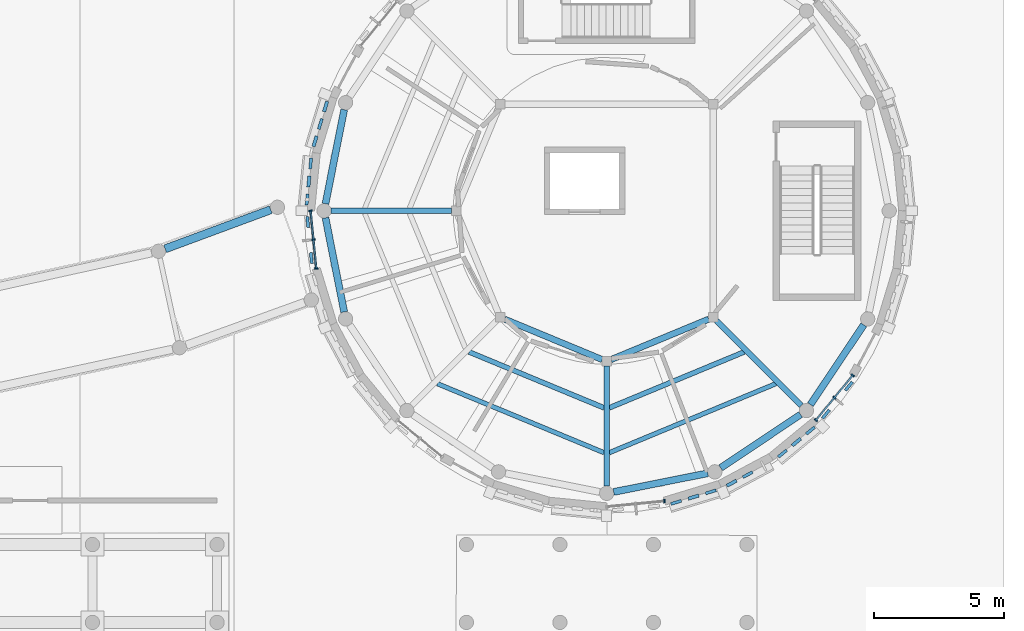
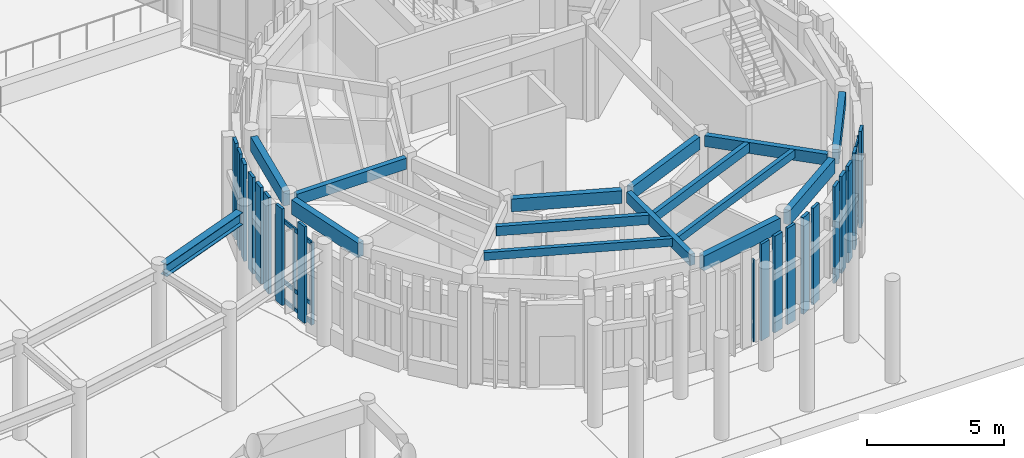
# One storey, part 25 of 94: 31 members, 15 beams, 3 elements without a shape of their own.
"""IFC4 building model written with IfcOpenShell, lengths in metres."""

from ifc_helpers import new_model, si_unit, direction, frame, origin, origin_2d, place, context, subcontext, project, spatial, rectangle, i_section, extrude, material, layer, layer_set, material_profile, profile_set, type_object, element, aggregate, save


model = new_model("IFC4")

# Units and contexts
model_context = context("Model", 3, precision=1e-05, world=origin(), true_north=direction((0.0, 1.0)))
body_context = subcontext(model_context, "Body", "Model", "MODEL_VIEW")
ifc_project = project(units=[si_unit("LENGTHUNIT", "METRE"), si_unit("AREAUNIT", "SQUARE_METRE"), si_unit("VOLUMEUNIT", "CUBIC_METRE"), si_unit("PLANEANGLEUNIT", "RADIAN"), si_unit("MASSUNIT", "GRAM", prefix="KILO")], contexts=[model_context])

# Site, building, storey
site_placement = place(None, origin())
site = spatial("IfcSite", under=ifc_project, at=site_placement, CompositionType="ELEMENT")
building_placement = place(site_placement, origin())
building = spatial("IfcBuilding", under=site, at=building_placement, Name="Aldenvaro Health Centre", CompositionType="ELEMENT")
storey_placement = place(building_placement, origin())
storey = spatial("IfcBuildingStorey", under=building, at=storey_placement, Name="L00", CompositionType="ELEMENT", Elevation=0.0)

# Beams
ifc_material_1 = material(Name="Glulam GL28h", Category="wood")
ifc_material_profile_1 = material_profile(ifc_material_1, rectangle(XDim=0.175048828125, YDim=0.35009765625, at=origin_2d()), Name="GL 175x350", Category="wood")
ifc_profile_set_1 = profile_set([ifc_material_profile_1], Name="Glulam GL28h")
beam_type_1 = type_object("IfcBeamType", Name="BM-GL-350", PredefinedType="JOIST", material=ifc_profile_set_1)
for number, where, z_axis, x_axis, name in (
    (1, (147.98388671875, 11.843017578125, 4.1298828125), (0.923881884669, -0.382677753705, 0.0), (0.382677753705, 0.923881884669, 0.0), "D6 L00 secondary joist 04.2"),
    (2, (154.59912109375, 9.18505859375, 4.1298828125), (0.923881884669, 0.382677753705, 0.0), (-0.382677753705, 0.923881884669, 0.0), "D6 L00 secondary joist 05.2"),
):
    element("IfcBeam", number, at=place(storey_placement, frame(where, z_axis=z_axis, x_axis=x_axis)), inside=storey, type_object=beam_type_1, Name=name, PredefinedType="JOIST", context=body_context, shape_type="SweptSolid", body=[
        extrude(rectangle(XDim=0.175048828125, YDim=0.35009765625, at=origin_2d()), origin(), (0.0, 0.0, 1.0), 6.94580078125),
    ])
ifc_material_profile_2 = material_profile(ifc_material_1, rectangle(XDim=0.18994140625, YDim=0.41796875, at=origin_2d()), Name="GL 190x418", Category="wood")
ifc_profile_set_2 = profile_set([ifc_material_profile_2], Name="Glulam GL28h")
beam_type_2 = type_object("IfcBeamType", Name="BM-GL-418", PredefinedType="JOIST", material=ifc_profile_set_2)
for number, where, z_axis, x_axis, name in (
    (3, (149.205078125, 13.06494140625, 4.095947265625), (0.923837981842, -0.382783729155, 0.0), (0.382783729155, 0.923837981842, 0.0), "D6 L00 secondary joist 04.1"),
    (4, (154.59912109375, 10.912109375, 4.095947265625), (0.923837981842, 0.382783729155, 0.0), (-0.382783729155, 0.923837981842, 0.0), "D6 L00 secondary joist 05.1"),
):
    element("IfcBeam", number, at=place(storey_placement, frame(where, z_axis=z_axis, x_axis=x_axis)), inside=storey, type_object=beam_type_2, Name=name, PredefinedType="JOIST", context=body_context, shape_type="SweptSolid", body=[
        extrude(rectangle(XDim=0.18994140625, YDim=0.41796875, at=origin_2d()), origin(), (0.0, 0.0, 1.0), 5.624267578125),
    ])
ifc_material_profile_3 = material_profile(ifc_material_1, rectangle(XDim=0.215087890625, YDim=0.493896484375, at=origin_2d()), Name="GL 215x494", Category="wood")
ifc_profile_set_3 = profile_set([ifc_material_profile_3], Name="Glulam GL28h")
beam_type_3 = type_object("IfcBeamType", Name="BM-GL-494", PredefinedType="BEAM", material=ifc_profile_set_3)
beam_1_placement = place(storey_placement, frame((148.51708984375, 18.5, 4.05810546875), z_axis=(-1.0, 0.0, 0.0), x_axis=(0.0, -1.0, 0.0)))
element("IfcBeam", 5, at=beam_1_placement, inside=storey, type_object=beam_type_3, Name="D6 L00 radial beam 03", PredefinedType="BEAM", context=body_context, shape_type="SweptSolid", body=[
    extrude(rectangle(XDim=0.215087890625, YDim=0.493896484375, at=origin_2d()), origin(), (0.0, 0.0, 1.0), 4.6220703125),
])
for number, where, z_axis, x_axis, name in (
    (6, (154.5, 12.51806640625, 4.05810546875), (0.0, -1.0, 0.0), (1.0, 0.0, 0.0), "D6 L00 radial beam 05"),
    (7, (158.72998046875, 14.27001953125, 4.05810546875), (0.707106781187, -0.707106781187, 0.0), (0.707106781187, 0.707106781187, 0.0), "D6 L00 radial beam 06"),
):
    element("IfcBeam", number, at=place(storey_placement, frame(where, z_axis=z_axis, x_axis=x_axis)), inside=storey, type_object=beam_type_3, Name=name, PredefinedType="BEAM", context=body_context, shape_type="SweptSolid", body=[
        extrude(rectangle(XDim=0.215087890625, YDim=0.493896484375, at=origin_2d()), origin(), (0.0, 0.0, 1.0), 4.623046875),
    ])
ifc_material_profile_4 = material_profile(ifc_material_1, rectangle(XDim=0.239990234375, YDim=0.570068359375, at=origin_2d()), Name="GL 240x570", Category="wood")
ifc_profile_set_4 = profile_set([ifc_material_profile_4], Name="Glulam GL28h")
beam_type_4 = type_object("IfcBeamType", Name="BM-GL-570", PredefinedType="BEAM", material=ifc_profile_set_4)
for number, where, z_axis, x_axis, name in (
    (8, (150.568115234375, 14.3291015625, 4.02001953125), (0.923842943705, -0.382771753617, 0.0), (0.382771753617, 0.923842943705, 0.0), "D6 L00 inner ring beam 04"),
    (9, (154.6689453125, 12.77001953125, 4.02001953125), (0.923842943705, 0.382771753617, 0.0), (-0.382771753617, 0.923842943705, 0.0), "D6 L00 inner ring beam 05"),
):
    element("IfcBeam", number, at=place(storey_placement, frame(where, z_axis=z_axis, x_axis=x_axis)), inside=storey, type_object=beam_type_4, Name=name, PredefinedType="BEAM", context=body_context, shape_type="SweptSolid", body=[
        extrude(rectangle(XDim=0.239990234375, YDim=0.570068359375, at=origin_2d()), origin(), (0.0, 0.0, 1.0), 4.0732421875),
    ])
ifc_material_profile_5 = material_profile(ifc_material_1, rectangle(XDim=0.264892578125, YDim=0.64599609375, at=origin_2d()), Name="GL 265x646", Category="wood")
ifc_profile_set_5 = profile_set([ifc_material_profile_5], Name="Glulam GL28h")
beam_type_5 = type_object("IfcBeamType", Name="BM-GL-646", PredefinedType="SPANDREL", material=ifc_profile_set_5)
for number, where, z_axis, x_axis, name in (
    (10, (144.39404296875, 22.39404296875, 3.98193359375), (-0.194857989237, -0.980831465661, 0.0), (0.980831465661, -0.194857989237, 0.0), "D6 L00 perimeter spandrel 08"),
    (11, (143.674072265625, 18.22998046875, 3.98193359375), (0.194857989237, -0.980831465661, 0.0), (0.980831465661, 0.194857989237, 0.0), "D6 L00 perimeter spandrel 09"),
    (12, (154.77001953125, 7.674072265625, 3.98193359375), (0.980831465661, 0.194857989237, 0.0), (-0.194857989237, 0.980831465661, 0.0), "D6 L00 perimeter spandrel 13"),
):
    element("IfcBeam", number, at=place(storey_placement, frame(where, z_axis=z_axis, x_axis=x_axis)), inside=storey, type_object=beam_type_5, Name=name, PredefinedType="SPANDREL", context=body_context, shape_type="SweptSolid", body=[
        extrude(rectangle(XDim=0.264892578125, YDim=0.64599609375, at=origin_2d()), origin(), (0.0, 0.0, 1.0), 3.69482421875),
    ])
for number, where, z_axis, x_axis, name in (
    (13, (158.89306640625, 8.60107421875, 3.98193359375), (0.831348056426, 0.555752111176, 0.0), (-0.555752111176, 0.831348056426, 0.0), "D6 L00 perimeter spandrel 14"),
    (14, (162.345947265625, 11.035888671875, 3.98193359375), (0.555752111176, 0.831348056426, 0.0), (-0.831348056426, 0.555752111176, 0.0), "D6 L00 perimeter spandrel 15"),
):
    element("IfcBeam", number, at=place(storey_placement, frame(where, z_axis=z_axis, x_axis=x_axis)), inside=storey, type_object=beam_type_5, Name=name, PredefinedType="SPANDREL", context=body_context, shape_type="SweptSolid", body=[
        extrude(rectangle(XDim=0.264892578125, YDim=0.64599609375, at=origin_2d()), origin(), (0.0, 0.0, 1.0), 3.694091796875),
    ])
ifc_material_2 = material(Name="Steel ASTM A992 Grade 50", Category="steel")
ifc_material_profile_6 = material_profile(ifc_material_2, i_section(OverallWidth=0.31201171875, OverallDepth=0.54296875, WebThickness=0.0126953125, FlangeThickness=0.020263671875, at=origin_2d()), Name="W21X101", Category="steel")
ifc_profile_set_6 = profile_set([ifc_material_profile_6], Name="Steel ASTM A992 Grade 50")
beam_type_6 = type_object("IfcBeamType", Name="BM-ST-W21E", PredefinedType="BEAM", material=ifc_profile_set_6)
beam_2_placement = place(storey_placement, frame((137.5, 17.035888671875, 4.029052734375), z_axis=(0.937779330537, 0.347231806172, 0.0), x_axis=(-0.347231806172, 0.937779330537, 0.0)))
element("IfcBeam", 15, at=beam_2_placement, inside=storey, type_object=beam_type_6, Name="South East Curved Peristyle Walkway Arc 5 L00 girder L-1", PredefinedType="BEAM", context=body_context, shape_type="SweptSolid", body=[
    extrude(i_section(OverallWidth=0.31201171875, OverallDepth=0.54296875, WebThickness=0.0126953125, FlangeThickness=0.020263671875, at=origin_2d()), origin(), (0.0, 0.0, 1.0), 4.334716796875),
])

# Curtain wall, members
ifc_material_3 = material(Name="Anodised Aluminium 6063-T6", Category="aluminium")
ifc_layer = layer(ifc_material_3, 0.195068359375, Name="Anodised Aluminium 6063-T6", Category="aluminium")
ifc_layer_set = layer_set([ifc_layer], Name="Anodised Aluminium 6063-T6")
curtain_wall_type = type_object("IfcCurtainWallType", Name="CW-CLN-02", PredefinedType="NOTDEFINED", material=ifc_layer_set)
curtain_wall_1_placement = place(storey_placement, origin())
curtain_wall_1 = element("IfcCurtainWall", 16, at=curtain_wall_1_placement, inside=storey, type_object=curtain_wall_type, Name="D6 L00 curtain wall bay 04", PredefinedType="NOTDEFINED")
ifc_material_profile_7 = material_profile(ifc_material_3, rectangle(XDim=0.06005859375, YDim=0.135009765625, at=origin_2d()), Name="ALU 60x135", Category="aluminium")
ifc_profile_set_7 = profile_set([ifc_material_profile_7], Name="Anodised Aluminium 6063-T6")
member_type_1 = type_object("IfcMemberType", Name="CWM-150", PredefinedType="MULLION", material=ifc_profile_set_7)
member_1_placement = place(storey_placement, frame((163.97900390625, 12.166015625, 0.0), z_axis=(0.0, 0.0, 1.0), x_axis=(-0.634577172169, -0.772859503767, 0.0)))
member_1 = element("IfcMember", 17, at=member_1_placement, type_object=member_type_1, Name="D6 L00 curtain wall bay 04 mullion 1", PredefinedType="MULLION", context=body_context, shape_type="SweptSolid", body=[
    extrude(rectangle(XDim=0.06005859375, YDim=0.135009765625, at=origin_2d()), origin(), (0.0, 0.0, 1.0), 3.658935546875),
])
member_2_placement = place(storey_placement, frame((163.27001953125, 11.302978515625, 0.0), z_axis=(0.0, 0.0, 1.0), x_axis=(-0.634577172169, -0.772859503767, 0.0)))
member_2 = element("IfcMember", 18, at=member_2_placement, type_object=member_type_1, Name="D6 L00 curtain wall bay 04 mullion 2", PredefinedType="MULLION", context=body_context, shape_type="SweptSolid", body=[
    extrude(rectangle(XDim=0.06005859375, YDim=0.135009765625, at=origin_2d()), origin(), (0.0, 0.0, 1.0), 3.658935546875),
])
member_3_placement = place(storey_placement, frame((162.56103515625, 10.43896484375, 0.0), z_axis=(0.0, 0.0, 1.0), x_axis=(-0.634577172169, -0.772859503767, 0.0)))
member_3 = element("IfcMember", 19, at=member_3_placement, type_object=member_type_1, Name="D6 L00 curtain wall bay 04 mullion 3", PredefinedType="MULLION", context=body_context, shape_type="SweptSolid", body=[
    extrude(rectangle(XDim=0.06005859375, YDim=0.135009765625, at=origin_2d()), origin(), (0.0, 0.0, 1.0), 3.658935546875),
])

# Curtain wall, member
curtain_wall_2_placement = place(storey_placement, origin())
curtain_wall_2 = element("IfcCurtainWall", 20, at=curtain_wall_2_placement, inside=storey, type_object=curtain_wall_type, Name="D6 L00 curtain wall bay 08", PredefinedType="NOTDEFINED")
member_4_placement = place(storey_placement, frame((156.72412109375, 7.319091796875, 0.0), z_axis=(0.0, 0.0, 1.0), x_axis=(-0.995186685493, -0.097997250052, 0.0)))
member_4 = element("IfcMember", 21, at=member_4_placement, type_object=member_type_1, Name="D6 L00 curtain wall bay 08 mullion 1", PredefinedType="MULLION", context=body_context, shape_type="SweptSolid", body=[
    extrude(rectangle(XDim=0.06005859375, YDim=0.135009765625, at=origin_2d()), origin(), (0.0, 0.0, 1.0), 3.658935546875),
])
aggregate(curtain_wall_2, [member_4])

# Curtain wall, members
curtain_wall_3_placement = place(storey_placement, origin())
curtain_wall_3 = element("IfcCurtainWall", 22, at=curtain_wall_3_placement, inside=storey, type_object=curtain_wall_type, Name="D6 L00 curtain wall bay 16", PredefinedType="NOTDEFINED")
member_5_placement = place(storey_placement, frame((143.319091796875, 16.27587890625, 0.0), z_axis=(0.0, 0.0, 1.0), x_axis=(-0.097997250052, 0.995186685493, 0.0)))
member_5 = element("IfcMember", 23, at=member_5_placement, type_object=member_type_1, Name="D6 L00 curtain wall bay 16 mullion 1", PredefinedType="MULLION", context=body_context, shape_type="SweptSolid", body=[
    extrude(rectangle(XDim=0.06005859375, YDim=0.135009765625, at=origin_2d()), origin(), (0.0, 0.0, 1.0), 3.658935546875),
])
member_6_placement = place(storey_placement, frame((143.208984375, 17.387939453125, 0.0), z_axis=(0.0, 0.0, 1.0), x_axis=(-0.097997250052, 0.995186685493, 0.0)))
member_6 = element("IfcMember", 24, at=member_6_placement, type_object=member_type_1, Name="D6 L00 curtain wall bay 16 mullion 2", PredefinedType="MULLION", context=body_context, shape_type="SweptSolid", body=[
    extrude(rectangle(XDim=0.06005859375, YDim=0.135009765625, at=origin_2d()), origin(), (0.0, 0.0, 1.0), 3.658935546875),
])
member_7_placement = place(storey_placement, frame((143.10009765625, 18.5, 0.0), z_axis=(0.0, 0.0, 1.0), x_axis=(-0.097997250052, 0.995186685493, 0.0)))
member_7 = element("IfcMember", 25, at=member_7_placement, type_object=member_type_1, Name="D6 L00 curtain wall bay 16 mullion 3", PredefinedType="MULLION", context=body_context, shape_type="SweptSolid", body=[
    extrude(rectangle(XDim=0.06005859375, YDim=0.135009765625, at=origin_2d()), origin(), (0.0, 0.0, 1.0), 3.658935546875),
])

# Member
ifc_material_profile_8 = material_profile(ifc_material_3, rectangle(XDim=0.06494140625, YDim=0.179931640625, at=origin_2d()), Name="ALU 65x180", Category="aluminium")
ifc_profile_set_8 = profile_set([ifc_material_profile_8], Name="Anodised Aluminium 6063-T6")
member_type_2 = type_object("IfcMemberType", Name="CWT-150", PredefinedType="USERDEFINED", material=ifc_profile_set_8)
member_8_placement = place(storey_placement, frame((163.97900390625, 12.166015625, 0.06005859375), z_axis=(-0.63455767339, -0.772875513354, 0.0), x_axis=(0.772875513354, -0.63455767339, 0.0)))
member_8 = element("IfcMember", 26, at=member_8_placement, type_object=member_type_2, Name="D6 L00 curtain wall bay 04 transom 1", ObjectType="TRANSOM", PredefinedType="USERDEFINED", context=body_context, shape_type="SweptSolid", body=[
    extrude(rectangle(XDim=0.06494140625, YDim=0.179931640625, at=origin_2d()), origin(), (0.0, 0.0, 1.0), 2.234619140625),
])

member_9_placement = place(storey_placement, frame((163.97900390625, 12.166015625, 0.89990234375), z_axis=(-0.63455767339, -0.772875513354, 0.0), x_axis=(0.772875513354, -0.63455767339, 0.0)))
member_9 = element("IfcMember", 27, at=member_9_placement, type_object=member_type_2, Name="D6 L00 curtain wall bay 04 transom 2", ObjectType="TRANSOM", PredefinedType="USERDEFINED", context=body_context, shape_type="SweptSolid", body=[
    extrude(rectangle(XDim=0.06494140625, YDim=0.179931640625, at=origin_2d()), origin(), (0.0, 0.0, 1.0), 2.234619140625),
])

member_10_placement = place(storey_placement, frame((163.97900390625, 12.166015625, 3.59912109375), z_axis=(-0.63455767339, -0.772875513354, 0.0), x_axis=(0.772875513354, -0.63455767339, 0.0)))
member_10 = element("IfcMember", 28, at=member_10_placement, type_object=member_type_2, Name="D6 L00 curtain wall bay 04 transom 3", ObjectType="TRANSOM", PredefinedType="USERDEFINED", context=body_context, shape_type="SweptSolid", body=[
    extrude(rectangle(XDim=0.06494140625, YDim=0.179931640625, at=origin_2d()), origin(), (0.0, 0.0, 1.0), 2.234619140625),
])

aggregate(curtain_wall_1, [member_1, member_2, member_3, member_8, member_9, member_10])

member_11_placement = place(storey_placement, frame((143.319091796875, 16.27587890625, 0.06005859375), z_axis=(-0.097989369151, 0.995187461503, 0.0), x_axis=(-0.995187461503, -0.097989369151, 0.0)))
member_11 = element("IfcMember", 29, at=member_11_placement, type_object=member_type_2, Name="D6 L00 curtain wall bay 16 transom 1", ObjectType="TRANSOM", PredefinedType="USERDEFINED", context=body_context, shape_type="SweptSolid", body=[
    extrude(rectangle(XDim=0.06494140625, YDim=0.179931640625, at=origin_2d()), origin(), (0.0, 0.0, 1.0), 2.23486328125),
])

member_12_placement = place(storey_placement, frame((143.319091796875, 16.27587890625, 0.89990234375), z_axis=(-0.097989369151, 0.995187461503, 0.0), x_axis=(-0.995187461503, -0.097989369151, 0.0)))
member_12 = element("IfcMember", 30, at=member_12_placement, type_object=member_type_2, Name="D6 L00 curtain wall bay 16 transom 2", ObjectType="TRANSOM", PredefinedType="USERDEFINED", context=body_context, shape_type="SweptSolid", body=[
    extrude(rectangle(XDim=0.06494140625, YDim=0.179931640625, at=origin_2d()), origin(), (0.0, 0.0, 1.0), 2.23486328125),
])

member_13_placement = place(storey_placement, frame((143.319091796875, 16.27587890625, 3.59912109375), z_axis=(-0.097989369151, 0.995187461503, 0.0), x_axis=(-0.995187461503, -0.097989369151, 0.0)))
member_13 = element("IfcMember", 31, at=member_13_placement, type_object=member_type_2, Name="D6 L00 curtain wall bay 16 transom 3", ObjectType="TRANSOM", PredefinedType="USERDEFINED", context=body_context, shape_type="SweptSolid", body=[
    extrude(rectangle(XDim=0.06494140625, YDim=0.179931640625, at=origin_2d()), origin(), (0.0, 0.0, 1.0), 2.23486328125),
])

aggregate(curtain_wall_3, [member_5, member_6, member_7, member_11, member_12, member_13])

# Members
ifc_material_profile_9 = material_profile(ifc_material_1, rectangle(XDim=0.114990234375, YDim=0.419921875, at=origin_2d()), Name="GL 115x420", Category="wood")
ifc_profile_set_9 = profile_set([ifc_material_profile_9], Name="Glulam GL28h")
member_type_3 = type_object("IfcMemberType", Name="MEM-SLT-420A", PredefinedType="POST", material=ifc_profile_set_9)
for number, where, z_axis, x_axis, name in (
    (32, (163.827880859375, 11.74609375, 0.0), (0.0, 0.0, 1.0), (0.772859503767, -0.634577172169, 0.0), "D6 L00 curtain mullion timber slat 4"),
    (33, (162.943115234375, 10.66796875, 0.0), (0.0, 0.0, 1.0), (0.772859503767, -0.634577172169, 0.0), "D6 L00 curtain mullion timber slat 4"),
    (34, (162.346923828125, 10.037109375, 0.0), (0.0, 0.0, 1.0), (0.634577172169, -0.772859503767, 0.0), "D6 L00 vertical timber slat 5.1"),
    (35, (161.27001953125, 9.152099609375, 0.0), (0.0, 0.0, 1.0), (0.634577172169, -0.772859503767, 0.0), "D6 L00 vertical timber slat 5.3"),
    (36, (159.930908203125, 8.340087890625, 0.0), (0.0, 0.0, 1.0), (0.471215232797, -0.882018256263, 0.0), "D6 L00 vertical timber slat 6.2"),
    (37, (158.511962890625, 7.678955078125, 0.0), (0.0, 0.0, 1.0), (0.290342622208, -0.956922756407, 0.0), "D6 L00 vertical timber slat 7.1"),
    (38, (157.177001953125, 7.27294921875, 0.0), (0.0, 0.0, 1.0), (0.290342622208, -0.956922756407, 0.0), "D6 L00 vertical timber slat 7.3"),
    (39, (143.12890625, 16.678955078125, 0.0), (0.0, 0.0, 1.0), (-0.995186685493, -0.097997250052, 0.0), "D6 L00 curtain mullion timber slat 16"),
    (40, (142.991943359375, 18.06689453125, 0.0), (0.0, 0.0, 1.0), (-0.995186685493, -0.097997250052, 0.0), "D6 L00 curtain mullion timber slat 16"),
    (41, (142.967041015625, 18.93505859375, 0.0), (0.0, 0.0, 1.0), (-0.995186685493, 0.097997250052, 0.0), "D6 L00 vertical timber slat 17.1"),
    (42, (143.10400390625, 20.322998046875, 0.0), (0.0, 0.0, 1.0), (-0.995186685493, 0.097997250052, 0.0), "D6 L00 vertical timber slat 17.3"),
    (43, (143.47607421875, 21.843994140625, 0.0), (0.0, 0.0, 1.0), (-0.956922756407, 0.290342622208, 0.0), "D6 L00 vertical timber slat 18.2"),
):
    element("IfcMember", number, at=place(storey_placement, frame(where, z_axis=z_axis, x_axis=x_axis)), inside=storey, type_object=member_type_3, Name=name, PredefinedType="POST", context=body_context, shape_type="SweptSolid", body=[
        extrude(rectangle(XDim=0.114990234375, YDim=0.419921875, at=origin_2d()), origin(), (0.0, 0.0, 1.0), 4.304931640625),
    ])
ifc_material_profile_10 = material_profile(ifc_material_1, rectangle(XDim=0.1298828125, YDim=0.419921875, at=origin_2d()), Name="GL 130x420", Category="wood")
ifc_profile_set_10 = profile_set([ifc_material_profile_10], Name="Glulam GL28h")
member_type_4 = type_object("IfcMemberType", Name="MEM-SLT-420B", PredefinedType="POST", material=ifc_profile_set_10)
for number, where, z_axis, x_axis, name in (
    (44, (161.80908203125, 9.594970703125, 0.0), (0.0, 0.0, 1.0), (0.634577172169, -0.772859503767, 0.0), "D6 L00 vertical timber slat 5.2"),
    (45, (159.31591796875, 8.011962890625, 0.0), (0.0, 0.0, 1.0), (0.471215232797, -0.882018256263, 0.0), "D6 L00 vertical timber slat 6.3"),
    (46, (157.843994140625, 7.47607421875, 0.0), (0.0, 0.0, 1.0), (0.290342622208, -0.956922756407, 0.0), "D6 L00 vertical timber slat 7.2"),
    (47, (143.034912109375, 19.62890625, 0.0), (0.0, 0.0, 1.0), (-0.995186685493, 0.097997250052, 0.0), "D6 L00 vertical timber slat 17.2"),
    (48, (143.27294921875, 21.177001953125, 0.0), (0.0, 0.0, 1.0), (-0.956922756407, 0.290342622208, 0.0), "D6 L00 vertical timber slat 18.1"),
    (49, (143.678955078125, 22.511962890625, 0.0), (0.0, 0.0, 1.0), (-0.956922756407, 0.290342622208, 0.0), "D6 L00 vertical timber slat 18.3"),
):
    element("IfcMember", number, at=place(storey_placement, frame(where, z_axis=z_axis, x_axis=x_axis)), inside=storey, type_object=member_type_4, Name=name, PredefinedType="POST", context=body_context, shape_type="SweptSolid", body=[
        extrude(rectangle(XDim=0.1298828125, YDim=0.419921875, at=origin_2d()), origin(), (0.0, 0.0, 1.0), 4.304931640625),
    ])

save(model, "model.ifc")
